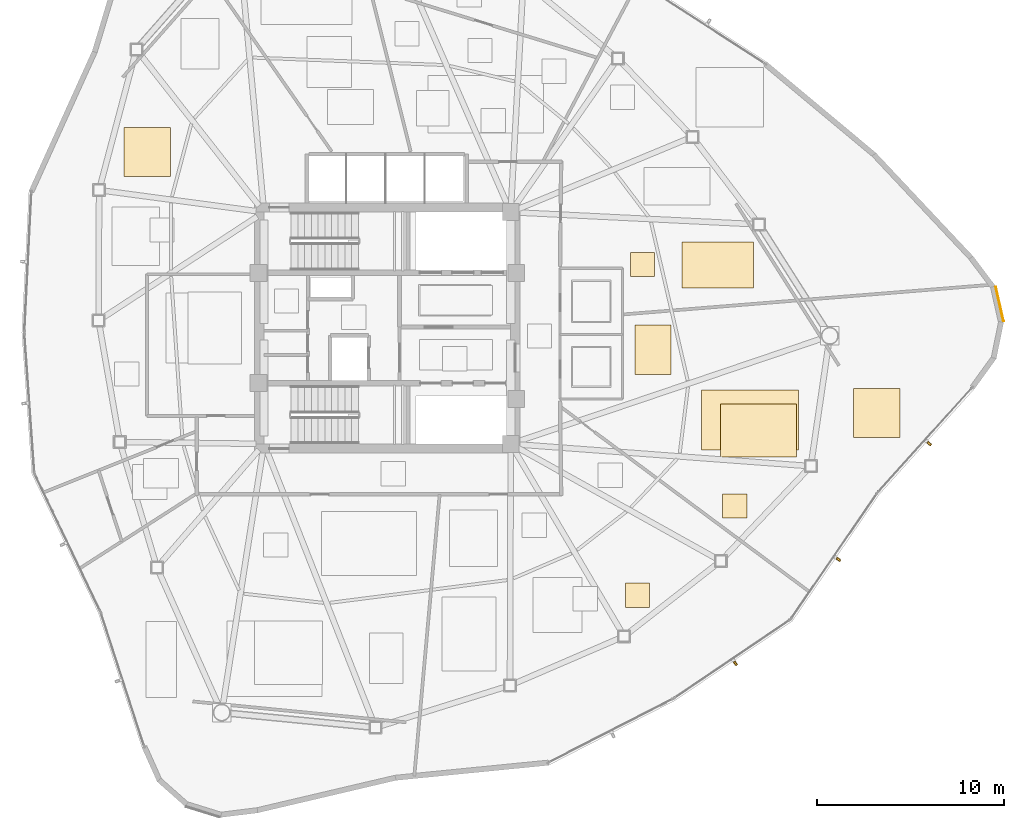
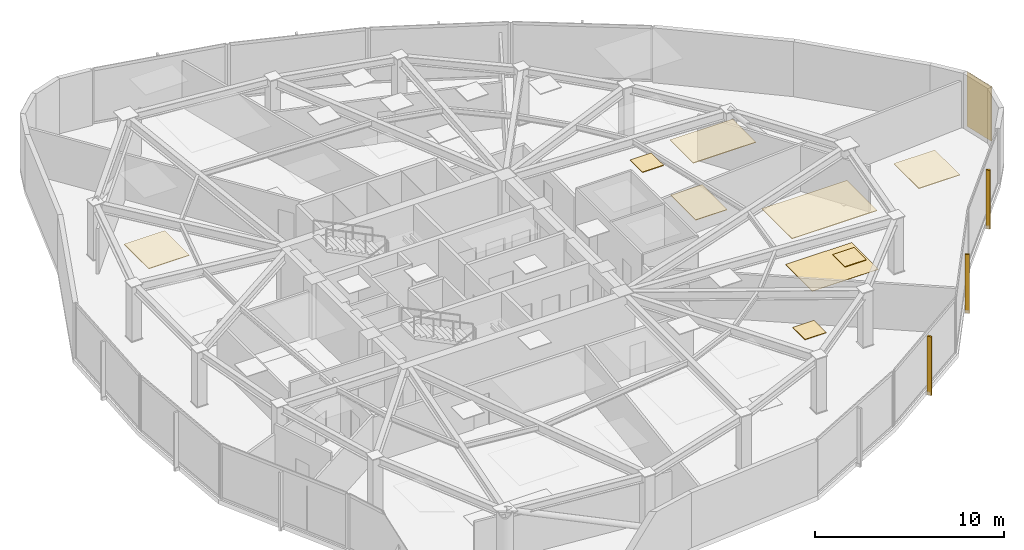
# One storey, part 16 of 17: 10 coverings, 3 shading devices.
"""IFC4 building model written with IfcOpenShell, lengths in metres."""

from ifc_helpers import new_model, si_unit, direction, frame, origin, origin_2d, place, context, subcontext, project, spatial, polyline, rectangle, outline, extrude, source, transform, mapped, material, layer, layer_set, type_object, type_shapes, element, save


model = new_model("IFC4")

# Units and contexts
model_context = context("Model", 3, precision=1e-05, world=origin(), true_north=direction((0.0, 1.0)))
body_context = subcontext(model_context, "Body", "Model", "MODEL_VIEW")
ifc_project = project(units=[si_unit("LENGTHUNIT", "METRE"), si_unit("AREAUNIT", "SQUARE_METRE"), si_unit("VOLUMEUNIT", "CUBIC_METRE"), si_unit("PLANEANGLEUNIT", "RADIAN"), si_unit("MASSUNIT", "GRAM", prefix="KILO")], contexts=[model_context])

# Site, building, storey
site_placement = place(None, origin())
site = spatial("IfcSite", under=ifc_project, at=site_placement, CompositionType="ELEMENT")
building_placement = place(site_placement, origin())
building = spatial("IfcBuilding", under=site, at=building_placement, Name="Tavelor Broadcast Tower", CompositionType="ELEMENT")
storey_placement = place(building_placement, frame((0.0, 0.0, 161.800048828125)))
storey = spatial("IfcBuildingStorey", under=building, at=storey_placement, Name="L38", CompositionType="ELEMENT", Elevation=161.800048828125)

# Coverings
ifc_material_1 = material(Name="Copper-Bronze Anodized Aluminium", Category="aluminium")
ifc_layer_1 = layer(ifc_material_1, 0.050048828125)
ifc_layer_set_1 = layer_set([ifc_layer_1], Name="Copper-Bronze Anodized Aluminium")
covering_type_1 = type_object("IfcCoveringType", Name="Champagne-Bronze Corner Pier Metal Cladding 50 mm", PredefinedType="CLADDING", material=ifc_layer_set_1)
covering_1_placement = place(storey_placement, frame((82.76318359375, 46.280029296875, 0.02001953125), z_axis=(0.0, 0.0, 1.0), x_axis=(-0.220697435022, 0.975342320509, 0.0)))
element("IfcCovering", 1, at=covering_1_placement, inside=storey, type_object=covering_type_1, Name="L38 Champagne-Bronze Corner Cladding 23", PredefinedType="CLADDING", context=body_context, shape_type="SweptSolid", body=[
    extrude(rectangle(XDim=1.893798828125, YDim=0.050048828125, at=origin_2d()), origin(), (0.0, 0.0, 1.0), 3.510009765625),
])
ifc_material_2 = material(Name="Acoustic Nylon Carpet Tile")
ifc_layer_2 = layer(ifc_material_2, 0.02001953125)
ifc_layer_set_2 = layer_set([ifc_layer_2], Name="Acoustic Nylon Carpet Tile")
covering_type_2 = type_object("IfcCoveringType", Name="Heavy-Duty Acoustic Broadcast Carpet Tile 20 mm", PredefinedType="FLOORING", material=ifc_layer_set_2)
covering_2_placement = place(storey_placement, origin())
element("IfcCovering", 2, at=covering_2_placement, inside=storey, type_object=covering_type_2, Name="L38 Broadcast Floor Finish 0566", PredefinedType="FLOORING", context=body_context, shape_type="SweptSolid", body=[
    extrude(outline(polyline([(67.825439453125, 38.095458984375), (71.8798828125, 38.095458984375), (71.8798828125, 40.94189453125), (67.825439453125, 40.94189453125), (67.825439453125, 38.095458984375)])), origin(), (0.0, 0.0, 1.0), 0.02001953125),
])
ifc_material_3 = material(Name="Acoustic Mineral Fibre Tile")
ifc_layer_3 = layer(ifc_material_3, 0.0400390625)
ifc_layer_set_3 = layer_set([ifc_layer_3], Name="Acoustic Mineral Fibre Tile")
covering_type_3 = type_object("IfcCoveringType", Name="Suspended Acoustic Mineral-Fibre Office Ceiling 40 mm", PredefinedType="CEILING", material=ifc_layer_set_3)
covering_3_placement = place(storey_placement, frame((0.0, 0.0, 3.510009765625)))
element("IfcCovering", 3, at=covering_3_placement, inside=storey, type_object=covering_type_3, Name="L38 Suspended Acoustic Ceiling 1583", PredefinedType="CEILING", context=body_context, shape_type="SweptSolid", body=[
    extrude(outline(polyline([(62.7353515625, 30.05615234375), (64.035400390625, 30.05615234375), (64.035400390625, 31.356201171875), (62.7353515625, 31.356201171875), (62.7353515625, 30.05615234375)])), origin(), (0.0, 0.0, 1.0), 0.0400390625),
])
covering_4_placement = place(storey_placement, frame((0.0, 0.0, 3.510009765625)))
element("IfcCovering", 4, at=covering_4_placement, inside=storey, type_object=covering_type_3, Name="L38 Suspended Acoustic Ceiling 1590", PredefinedType="CEILING", context=body_context, shape_type="SweptSolid", body=[
    extrude(outline(polyline([(35.90185546875, 53.112548828125), (38.393310546875, 53.112548828125), (38.393310546875, 55.72216796875), (35.90185546875, 55.72216796875), (35.90185546875, 53.112548828125)])), origin(), (0.0, 0.0, 1.0), 0.0400390625),
])
covering_5_placement = place(storey_placement, frame((0.0, 0.0, 3.510009765625)))
element("IfcCovering", 5, at=covering_5_placement, inside=storey, type_object=covering_type_3, Name="L38 Suspended Acoustic Ceiling 1600", PredefinedType="CEILING", context=body_context, shape_type="SweptSolid", body=[
    extrude(outline(polyline([(65.76611328125, 47.145751953125), (69.590576171875, 47.145751953125), (69.590576171875, 49.603515625), (65.76611328125, 49.603515625), (65.76611328125, 47.145751953125)])), origin(), (0.0, 0.0, 1.0), 0.0400390625),
])
covering_6_placement = place(storey_placement, frame((0.0, 0.0, 3.510009765625)))
element("IfcCovering", 6, at=covering_6_placement, inside=storey, type_object=covering_type_3, Name="L38 Suspended Acoustic Ceiling 1601", PredefinedType="CEILING", context=body_context, shape_type="SweptSolid", body=[
    extrude(outline(polyline([(63.0, 47.748779296875), (64.300048828125, 47.748779296875), (64.300048828125, 49.048828125), (63.0, 49.048828125), (63.0, 47.748779296875)])), origin(), (0.0, 0.0, 1.0), 0.0400390625),
])
covering_7_placement = place(storey_placement, frame((0.0, 0.0, 3.510009765625)))
element("IfcCovering", 7, at=covering_7_placement, inside=storey, type_object=covering_type_3, Name="L38 Suspended Acoustic Ceiling 1603", PredefinedType="CEILING", context=body_context, shape_type="SweptSolid", body=[
    extrude(outline(polyline([(63.24609375, 42.51513671875), (65.16943359375, 42.51513671875), (65.16943359375, 45.173583984375), (63.24609375, 45.173583984375), (63.24609375, 42.51513671875)])), origin(), (0.0, 0.0, 1.0), 0.0400390625),
])
covering_8_placement = place(storey_placement, frame((0.0, 0.0, 3.510009765625)))
element("IfcCovering", 8, at=covering_8_placement, inside=storey, type_object=covering_type_3, Name="L38 Suspended Acoustic Ceiling 1604", PredefinedType="CEILING", context=body_context, shape_type="SweptSolid", body=[
    extrude(outline(polyline([(66.80126953125, 38.476806640625), (72.0126953125, 38.476806640625), (72.0126953125, 41.673095703125), (66.80126953125, 41.673095703125), (66.80126953125, 38.476806640625)])), origin(), (0.0, 0.0, 1.0), 0.0400390625),
])
covering_9_placement = place(storey_placement, frame((0.0, 0.0, 3.510009765625)))
element("IfcCovering", 9, at=covering_9_placement, inside=storey, type_object=covering_type_3, Name="L38 Suspended Acoustic Ceiling 1605", PredefinedType="CEILING", context=body_context, shape_type="SweptSolid", body=[
    extrude(outline(polyline([(74.938232421875, 39.1298828125), (77.4443359375, 39.1298828125), (77.4443359375, 41.776611328125), (74.938232421875, 41.776611328125), (74.938232421875, 39.1298828125)])), origin(), (0.0, 0.0, 1.0), 0.0400390625),
])
covering_10_placement = place(storey_placement, frame((0.0, 0.0, 3.510009765625)))
element("IfcCovering", 10, at=covering_10_placement, inside=storey, type_object=covering_type_3, Name="L38 Suspended Acoustic Ceiling 1606", PredefinedType="CEILING", context=body_context, shape_type="SweptSolid", body=[
    extrude(outline(polyline([(67.93115234375, 34.822021484375), (69.231201171875, 34.822021484375), (69.231201171875, 36.1220703125), (67.93115234375, 36.1220703125), (67.93115234375, 34.822021484375)])), origin(), (0.0, 0.0, 1.0), 0.0400390625),
])

# Shading devices
ifc_material_4 = material(Name="Kiln-Fired Glazed Terracotta", Category="masonry")
shading_device_type = type_object("IfcShadingDeviceType", Name="Extruded Terracotta Baguette Sun-Screen 110x240", PredefinedType="JALOUSIE", material=ifc_material_4)
shared_shape = source(origin(), body_context, "Body", "SweptSolid", [
    extrude(rectangle(XDim=0.110107421875, YDim=0.239990234375, at=origin_2d()), origin(), (0.0, 0.0, 1.0), 3.7900390625),
])
type_shapes(shading_device_type, [shared_shape])
for number, where, z_axis, x_axis, name in (
    (11, (68.625732421875, 27.052490234375, -0.260009765625), (0.0, 0.0, 1.0), (0.828255984098, 0.560349912828, 0.0), "L38 Terracotta Baguette Fin 390"),
    (12, (74.139404296875, 32.615234375, -0.260009765625), (0.0, 0.0, 1.0), (0.565542903589, 0.82471887586, 0.0), "L38 Terracotta Baguette Fin 391"),
    (13, (78.994873046875, 38.81201171875, -0.260009765625), (0.0, 0.0, 1.0), (0.669389972068, 0.742911209563, 0.0), "L38 Terracotta Baguette Fin 392"),
):
    element("IfcShadingDevice", number, at=place(storey_placement, frame(where, z_axis=z_axis, x_axis=x_axis)), inside=storey, type_object=shading_device_type, Name=name, PredefinedType="JALOUSIE", context=body_context, shape_type="MappedRepresentation", body=[
        mapped(shared_shape, transform((0.0, 0.0, 0.0), scale=1.0)),
    ])

save(model, "model.ifc")
